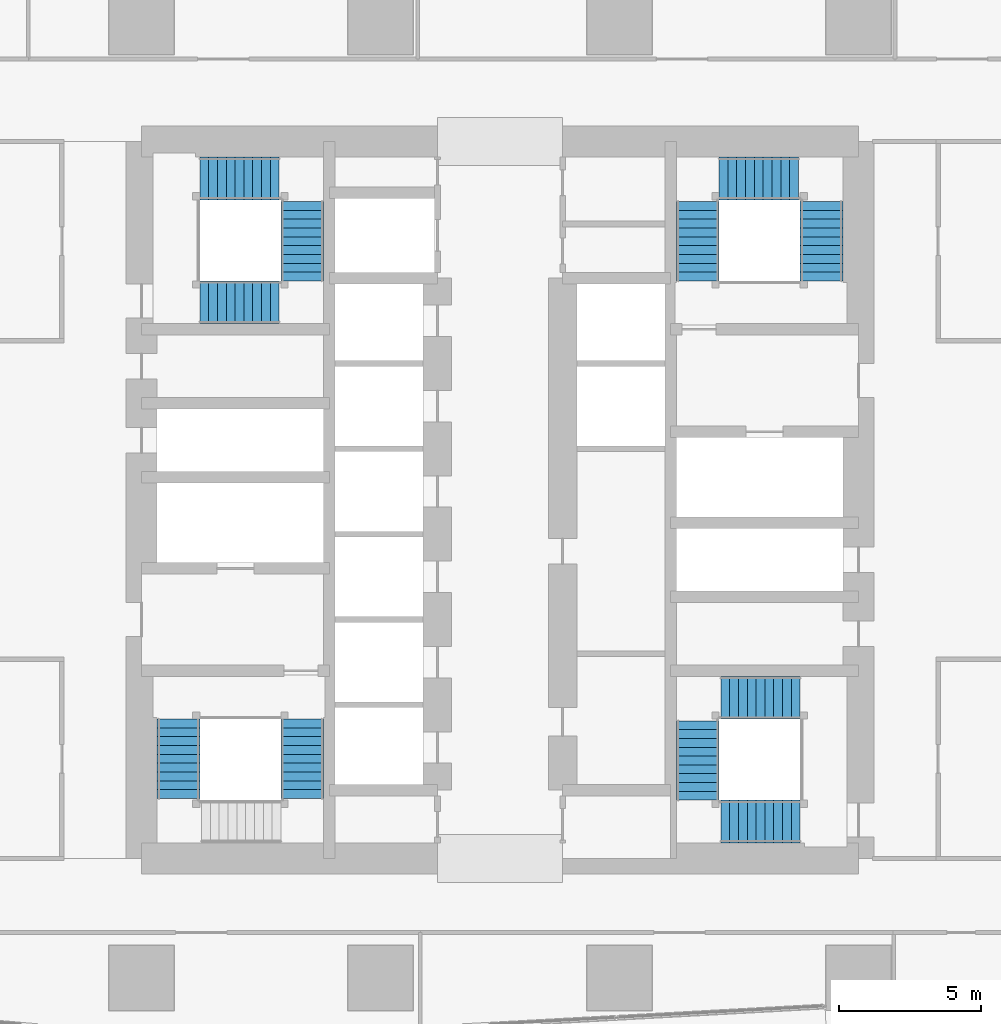
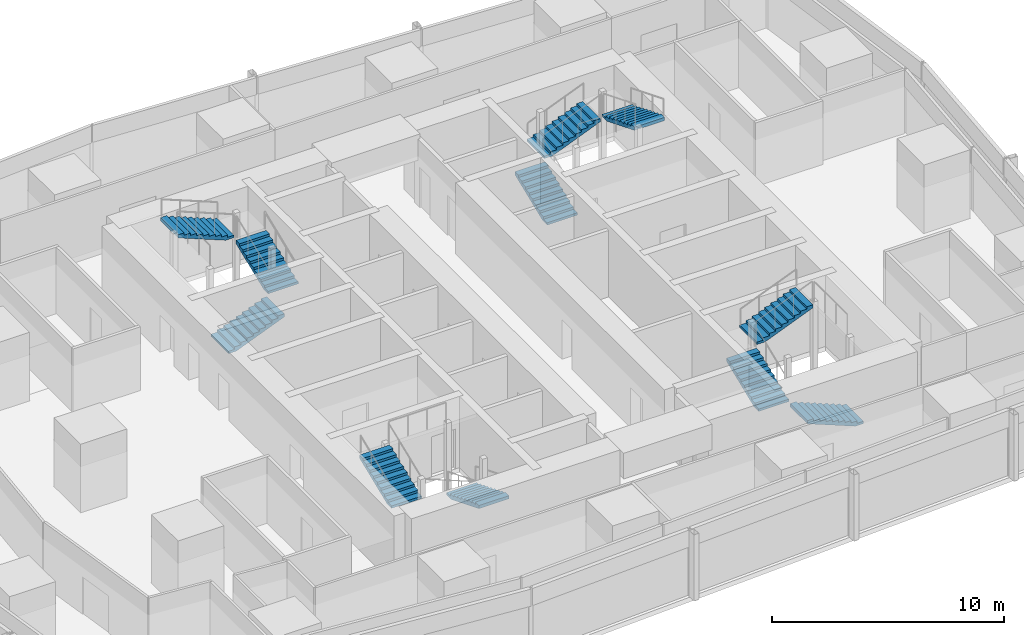
# One storey, part 24 of 32: 11 stair flights, 4 elements without a shape of their own.
"""IFC4 building model written with IfcOpenShell, lengths in metres."""

from ifc_helpers import new_model, si_unit, direction, frame, origin, place, context, subcontext, project, spatial, polyline, outline, extrude, material, type_object, element, aggregate, save


model = new_model("IFC4")

# Units and contexts
model_context = context("Model", 3, precision=1e-05, world=origin(), true_north=direction((0.0, 1.0)))
body_context = subcontext(model_context, "Body", "Model", "MODEL_VIEW")
ifc_project = project(units=[si_unit("LENGTHUNIT", "METRE"), si_unit("AREAUNIT", "SQUARE_METRE"), si_unit("VOLUMEUNIT", "CUBIC_METRE"), si_unit("PLANEANGLEUNIT", "RADIAN"), si_unit("MASSUNIT", "GRAM", prefix="KILO")], contexts=[model_context])

# Site, building, storey
site_placement = place(None, origin())
site = spatial("IfcSite", under=ifc_project, at=site_placement, CompositionType="ELEMENT")
building_placement = place(site_placement, origin())
building = spatial("IfcBuilding", under=site, at=building_placement, Name="Rekha Terrace Tower", CompositionType="ELEMENT")
storey_placement = place(building_placement, frame((0.0, 0.0, 250.10009765625)))
storey = spatial("IfcBuildingStorey", under=building, at=storey_placement, Name="L63", CompositionType="ELEMENT", Elevation=250.10009765625)

# Stair, stair flights
ifc_material = material(Name="Concrete M40", Category="concrete")
stair_type = type_object("IfcStairType", Name="ST30 stair, 30 risers of 125, going 310, 1500 wide flights, 3 flights", PredefinedType="HALF_TURN_STAIR", material=ifc_material)
stair_1_placement = place(storey_placement, origin())
stair_1 = element("IfcStair", 1, at=stair_1_placement, inside=storey, type_object=stair_type, Name="Stair ST1 L63 to L64", PredefinedType="HALF_TURN_STAIR")
stair_flight_type = type_object("IfcStairFlightType", Name="SF10 stair flight, 10 risers of 125, going 310, 1500 wide", PredefinedType="STRAIGHT", material=ifc_material)
stair_flight_1_placement = place(storey_placement, frame((30.85009765625, 25.89990234375, 0.0), z_axis=(0.0, 0.0, 1.0), x_axis=(0.0, -1.0, 0.0)))
stair_flight_1 = element("IfcStairFlight", 2, at=stair_flight_1_placement, type_object=stair_flight_type, Name="ST1 flight 1", NumberOfRisers=10, NumberOfTreads=9, PredefinedType="STRAIGHT", RiserHeight=0.125, TreadLength=0.31, context=body_context, shape_type="SweptSolid", body=[
    extrude(outline(polyline([(0.0, 0.0), (0.0, 0.125), (0.31005859375, 0.125), (0.31005859375, 0.25), (0.6201171875, 0.25), (0.6201171875, 0.375), (0.929931640625, 0.375), (0.929931640625, 0.5), (1.239990234375, 0.5), (1.239990234375, 0.625), (1.550048828125, 0.625), (1.550048828125, 0.75), (1.860107421875, 0.75), (1.860107421875, 0.875), (2.169921875, 0.875), (2.169921875, 1.0), (2.47998046875, 1.0), (2.47998046875, 1.125), (2.7900390625, 1.125), (2.7900390625, 1.25), (2.7900390625, 0.96337890625), (0.40087890625, 0.0), (0.0, 0.0)])), frame((0.0, 0.75, 0.0), z_axis=(0.0, -1.0, 0.0), x_axis=(1.0, 0.0, 0.0)), (0.0, 0.0, 1.0), 1.5),
])
stair_flight_2_placement = place(storey_placement, frame((26.5, 23.110107421875, 2.5), z_axis=(0.0, 0.0, 1.0), x_axis=(0.0, 1.0, 0.0)))
stair_flight_2 = element("IfcStairFlight", 3, at=stair_flight_2_placement, type_object=stair_flight_type, Name="ST1 flight 3", NumberOfRisers=10, NumberOfTreads=9, PredefinedType="STRAIGHT", RiserHeight=0.125, TreadLength=0.31, context=body_context, shape_type="SweptSolid", body=[
    extrude(outline(polyline([(0.0, 0.0), (0.0, 0.125), (0.31005859375, 0.125), (0.31005859375, 0.25), (0.6201171875, 0.25), (0.6201171875, 0.375), (0.929931640625, 0.375), (0.929931640625, 0.5), (1.239990234375, 0.5), (1.239990234375, 0.625), (1.550048828125, 0.625), (1.550048828125, 0.75), (1.860107421875, 0.75), (1.860107421875, 0.875), (2.169921875, 0.875), (2.169921875, 1.0), (2.47998046875, 1.0), (2.47998046875, 1.125), (2.7900390625, 1.125), (2.7900390625, 1.25), (2.7900390625, 0.96337890625), (0.40087890625, 0.0), (0.0, 0.0)])), frame((0.0, 0.75, 0.0), z_axis=(0.0, -1.0, 0.0), x_axis=(1.0, 0.0, 0.0)), (0.0, 0.0, 1.0), 1.5),
])
aggregate(stair_1, [stair_flight_1, stair_flight_2])

stair_2_placement = place(storey_placement, origin())
stair_2 = element("IfcStair", 4, at=stair_2_placement, inside=storey, type_object=stair_type, Name="Stair ST2 L63 to L64", PredefinedType="HALF_TURN_STAIR")
stair_flight_3_placement = place(storey_placement, frame((44.75, 41.300048828125, 0.0), z_axis=(0.0, 0.0, 1.0), x_axis=(0.0, 1.0, 0.0)))
stair_flight_3 = element("IfcStairFlight", 5, at=stair_flight_3_placement, type_object=stair_flight_type, Name="ST2 flight 1", NumberOfRisers=10, NumberOfTreads=9, PredefinedType="STRAIGHT", RiserHeight=0.125, TreadLength=0.31, context=body_context, shape_type="SweptSolid", body=[
    extrude(outline(polyline([(0.0, 0.0), (0.0, 0.125), (0.31005859375, 0.125), (0.31005859375, 0.25), (0.6201171875, 0.25), (0.6201171875, 0.375), (0.929931640625, 0.375), (0.929931640625, 0.5), (1.239990234375, 0.5), (1.239990234375, 0.625), (1.550048828125, 0.625), (1.550048828125, 0.75), (1.860107421875, 0.75), (1.860107421875, 0.875), (2.169921875, 0.875), (2.169921875, 1.0), (2.47998046875, 1.0), (2.47998046875, 1.125), (2.7900390625, 1.125), (2.7900390625, 1.25), (2.7900390625, 0.96337890625), (0.40087890625, 0.0), (0.0, 0.0)])), frame((0.0, 0.75, 0.0), z_axis=(0.0, -1.0, 0.0), x_axis=(1.0, 0.0, 0.0)), (0.0, 0.0, 1.0), 1.5),
])
stair_flight_4_placement = place(storey_placement, frame((45.5, 44.89990234375, 1.25), z_axis=(0.0, 0.0, 1.0), x_axis=(1.0, 0.0, 0.0)))
stair_flight_4 = element("IfcStairFlight", 6, at=stair_flight_4_placement, type_object=stair_flight_type, Name="ST2 flight 2", NumberOfRisers=10, NumberOfTreads=9, PredefinedType="STRAIGHT", RiserHeight=0.125, TreadLength=0.31, context=body_context, shape_type="SweptSolid", body=[
    extrude(outline(polyline([(0.0, 0.0), (0.0, 0.125), (0.31005859375, 0.125), (0.31005859375, 0.25), (0.6201171875, 0.25), (0.6201171875, 0.375), (0.929931640625, 0.375), (0.929931640625, 0.5), (1.239990234375, 0.5), (1.239990234375, 0.625), (1.550048828125, 0.625), (1.550048828125, 0.75), (1.860107421875, 0.75), (1.860107421875, 0.875), (2.169921875, 0.875), (2.169921875, 1.0), (2.47998046875, 1.0), (2.47998046875, 1.125), (2.7900390625, 1.125), (2.7900390625, 1.25), (2.7900390625, 0.96337890625), (0.40087890625, 0.0), (0.0, 0.0)])), frame((0.0, 0.75, 0.0), z_axis=(0.0, -1.0, 0.0), x_axis=(1.0, 0.0, 0.0)), (0.0, 0.0, 1.0), 1.5),
])
stair_flight_5_placement = place(storey_placement, frame((49.10009765625, 44.090087890625, 2.5), z_axis=(0.0, 0.0, 1.0), x_axis=(0.0, -1.0, 0.0)))
stair_flight_5 = element("IfcStairFlight", 7, at=stair_flight_5_placement, type_object=stair_flight_type, Name="ST2 flight 3", NumberOfRisers=10, NumberOfTreads=9, PredefinedType="STRAIGHT", RiserHeight=0.125, TreadLength=0.31, context=body_context, shape_type="SweptSolid", body=[
    extrude(outline(polyline([(0.0, 0.0), (0.0, 0.125), (0.31005859375, 0.125), (0.31005859375, 0.25), (0.6201171875, 0.25), (0.6201171875, 0.375), (0.929931640625, 0.375), (0.929931640625, 0.5), (1.239990234375, 0.5), (1.239990234375, 0.625), (1.550048828125, 0.625), (1.550048828125, 0.75), (1.860107421875, 0.75), (1.860107421875, 0.875), (2.169921875, 0.875), (2.169921875, 1.0), (2.47998046875, 1.0), (2.47998046875, 1.125), (2.7900390625, 1.125), (2.7900390625, 1.25), (2.7900390625, 0.96337890625), (0.40087890625, 0.0), (0.0, 0.0)])), frame((0.0, 0.75, 0.0), z_axis=(0.0, -1.0, 0.0), x_axis=(1.0, 0.0, 0.0)), (0.0, 0.0, 1.0), 1.5),
])
aggregate(stair_2, [stair_flight_3, stair_flight_4, stair_flight_5])

stair_3_placement = place(storey_placement, origin())
stair_3 = element("IfcStair", 8, at=stair_3_placement, inside=storey, type_object=stair_type, Name="Stair ST3 L63 to L64", PredefinedType="HALF_TURN_STAIR")
stair_flight_6_placement = place(storey_placement, frame((48.35009765625, 22.300048828125, 0.0), z_axis=(0.0, 0.0, 1.0), x_axis=(-1.0, 0.0, 0.0)))
stair_flight_6 = element("IfcStairFlight", 9, at=stair_flight_6_placement, type_object=stair_flight_type, Name="ST3 flight 1", NumberOfRisers=10, NumberOfTreads=9, PredefinedType="STRAIGHT", RiserHeight=0.125, TreadLength=0.31, context=body_context, shape_type="SweptSolid", body=[
    extrude(outline(polyline([(0.0, 0.0), (0.0, 0.125), (0.31005859375, 0.125), (0.31005859375, 0.25), (0.6201171875, 0.25), (0.6201171875, 0.375), (0.929931640625, 0.375), (0.929931640625, 0.5), (1.239990234375, 0.5), (1.239990234375, 0.625), (1.550048828125, 0.625), (1.550048828125, 0.75), (1.860107421875, 0.75), (1.860107421875, 0.875), (2.169921875, 0.875), (2.169921875, 1.0), (2.47998046875, 1.0), (2.47998046875, 1.125), (2.7900390625, 1.125), (2.7900390625, 1.25), (2.7900390625, 0.96337890625), (0.40087890625, 0.0), (0.0, 0.0)])), frame((0.0, 0.75, 0.0), z_axis=(0.0, -1.0, 0.0), x_axis=(1.0, 0.0, 0.0)), (0.0, 0.0, 1.0), 1.5),
])
stair_flight_7_placement = place(storey_placement, frame((44.75, 23.050048828125, 1.25), z_axis=(0.0, 0.0, 1.0), x_axis=(0.0, 1.0, 0.0)))
stair_flight_7 = element("IfcStairFlight", 10, at=stair_flight_7_placement, type_object=stair_flight_type, Name="ST3 flight 2", NumberOfRisers=10, NumberOfTreads=9, PredefinedType="STRAIGHT", RiserHeight=0.125, TreadLength=0.31, context=body_context, shape_type="SweptSolid", body=[
    extrude(outline(polyline([(0.0, 0.0), (0.0, 0.125), (0.31005859375, 0.125), (0.31005859375, 0.25), (0.6201171875, 0.25), (0.6201171875, 0.375), (0.929931640625, 0.375), (0.929931640625, 0.5), (1.239990234375, 0.5), (1.239990234375, 0.625), (1.550048828125, 0.625), (1.550048828125, 0.75), (1.860107421875, 0.75), (1.860107421875, 0.875), (2.169921875, 0.875), (2.169921875, 1.0), (2.47998046875, 1.0), (2.47998046875, 1.125), (2.7900390625, 1.125), (2.7900390625, 1.25), (2.7900390625, 0.96337890625), (0.40087890625, 0.0), (0.0, 0.0)])), frame((0.0, 0.75, 0.0), z_axis=(0.0, -1.0, 0.0), x_axis=(1.0, 0.0, 0.0)), (0.0, 0.0, 1.0), 1.5),
])
stair_flight_8_placement = place(storey_placement, frame((45.56005859375, 26.64990234375, 2.5), z_axis=(0.0, 0.0, 1.0), x_axis=(1.0, 0.0, 0.0)))
stair_flight_8 = element("IfcStairFlight", 11, at=stair_flight_8_placement, type_object=stair_flight_type, Name="ST3 flight 3", NumberOfRisers=10, NumberOfTreads=9, PredefinedType="STRAIGHT", RiserHeight=0.125, TreadLength=0.31, context=body_context, shape_type="SweptSolid", body=[
    extrude(outline(polyline([(0.0, 0.0), (0.0, 0.125), (0.31005859375, 0.125), (0.31005859375, 0.25), (0.6201171875, 0.25), (0.6201171875, 0.375), (0.929931640625, 0.375), (0.929931640625, 0.5), (1.239990234375, 0.5), (1.239990234375, 0.625), (1.550048828125, 0.625), (1.550048828125, 0.75), (1.860107421875, 0.75), (1.860107421875, 0.875), (2.169921875, 0.875), (2.169921875, 1.0), (2.47998046875, 1.0), (2.47998046875, 1.125), (2.7900390625, 1.125), (2.7900390625, 1.25), (2.7900390625, 0.96337890625), (0.40087890625, 0.0), (0.0, 0.0)])), frame((0.0, 0.75, 0.0), z_axis=(0.0, -1.0, 0.0), x_axis=(1.0, 0.0, 0.0)), (0.0, 0.0, 1.0), 1.5),
])
aggregate(stair_3, [stair_flight_6, stair_flight_7, stair_flight_8])

stair_4_placement = place(storey_placement, origin())
stair_4 = element("IfcStair", 12, at=stair_4_placement, inside=storey, type_object=stair_type, Name="Stair ST4 L63 to L64", PredefinedType="HALF_TURN_STAIR")
stair_flight_9_placement = place(storey_placement, frame((27.25, 40.550048828125, 0.0), z_axis=(0.0, 0.0, 1.0), x_axis=(1.0, 0.0, 0.0)))
stair_flight_9 = element("IfcStairFlight", 13, at=stair_flight_9_placement, type_object=stair_flight_type, Name="ST4 flight 1", NumberOfRisers=10, NumberOfTreads=9, PredefinedType="STRAIGHT", RiserHeight=0.125, TreadLength=0.31, context=body_context, shape_type="SweptSolid", body=[
    extrude(outline(polyline([(0.0, 0.0), (0.0, 0.125), (0.31005859375, 0.125), (0.31005859375, 0.25), (0.6201171875, 0.25), (0.6201171875, 0.375), (0.929931640625, 0.375), (0.929931640625, 0.5), (1.239990234375, 0.5), (1.239990234375, 0.625), (1.550048828125, 0.625), (1.550048828125, 0.75), (1.860107421875, 0.75), (1.860107421875, 0.875), (2.169921875, 0.875), (2.169921875, 1.0), (2.47998046875, 1.0), (2.47998046875, 1.125), (2.7900390625, 1.125), (2.7900390625, 1.25), (2.7900390625, 0.96337890625), (0.40087890625, 0.0), (0.0, 0.0)])), frame((0.0, 0.75, 0.0), z_axis=(0.0, -1.0, 0.0), x_axis=(1.0, 0.0, 0.0)), (0.0, 0.0, 1.0), 1.5),
])
stair_flight_10_placement = place(storey_placement, frame((30.85009765625, 41.300048828125, 1.25), z_axis=(0.0, 0.0, 1.0), x_axis=(0.0, 1.0, 0.0)))
stair_flight_10 = element("IfcStairFlight", 14, at=stair_flight_10_placement, type_object=stair_flight_type, Name="ST4 flight 2", NumberOfRisers=10, NumberOfTreads=9, PredefinedType="STRAIGHT", RiserHeight=0.125, TreadLength=0.31, context=body_context, shape_type="SweptSolid", body=[
    extrude(outline(polyline([(0.0, 0.0), (0.0, 0.125), (0.31005859375, 0.125), (0.31005859375, 0.25), (0.6201171875, 0.25), (0.6201171875, 0.375), (0.929931640625, 0.375), (0.929931640625, 0.5), (1.239990234375, 0.5), (1.239990234375, 0.625), (1.550048828125, 0.625), (1.550048828125, 0.75), (1.860107421875, 0.75), (1.860107421875, 0.875), (2.169921875, 0.875), (2.169921875, 1.0), (2.47998046875, 1.0), (2.47998046875, 1.125), (2.7900390625, 1.125), (2.7900390625, 1.25), (2.7900390625, 0.96337890625), (0.40087890625, 0.0), (0.0, 0.0)])), frame((0.0, 0.75, 0.0), z_axis=(0.0, -1.0, 0.0), x_axis=(1.0, 0.0, 0.0)), (0.0, 0.0, 1.0), 1.5),
])
stair_flight_11_placement = place(storey_placement, frame((30.0400390625, 44.89990234375, 2.5), z_axis=(0.0, 0.0, 1.0), x_axis=(-1.0, 0.0, 0.0)))
stair_flight_11 = element("IfcStairFlight", 15, at=stair_flight_11_placement, type_object=stair_flight_type, Name="ST4 flight 3", NumberOfRisers=10, NumberOfTreads=9, PredefinedType="STRAIGHT", RiserHeight=0.125, TreadLength=0.31, context=body_context, shape_type="SweptSolid", body=[
    extrude(outline(polyline([(0.0, 0.0), (0.0, 0.125), (0.31005859375, 0.125), (0.31005859375, 0.25), (0.6201171875, 0.25), (0.6201171875, 0.375), (0.929931640625, 0.375), (0.929931640625, 0.5), (1.239990234375, 0.5), (1.239990234375, 0.625), (1.550048828125, 0.625), (1.550048828125, 0.75), (1.860107421875, 0.75), (1.860107421875, 0.875), (2.169921875, 0.875), (2.169921875, 1.0), (2.47998046875, 1.0), (2.47998046875, 1.125), (2.7900390625, 1.125), (2.7900390625, 1.25), (2.7900390625, 0.96337890625), (0.40087890625, 0.0), (0.0, 0.0)])), frame((0.0, 0.75, 0.0), z_axis=(0.0, -1.0, 0.0), x_axis=(1.0, 0.0, 0.0)), (0.0, 0.0, 1.0), 1.5),
])
aggregate(stair_4, [stair_flight_9, stair_flight_10, stair_flight_11])

save(model, "model.ifc")
